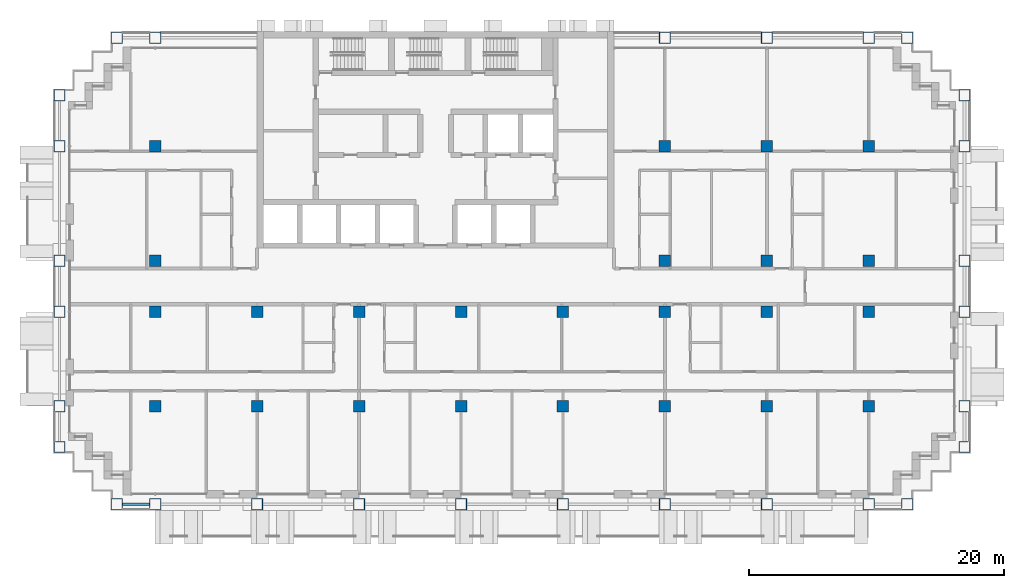
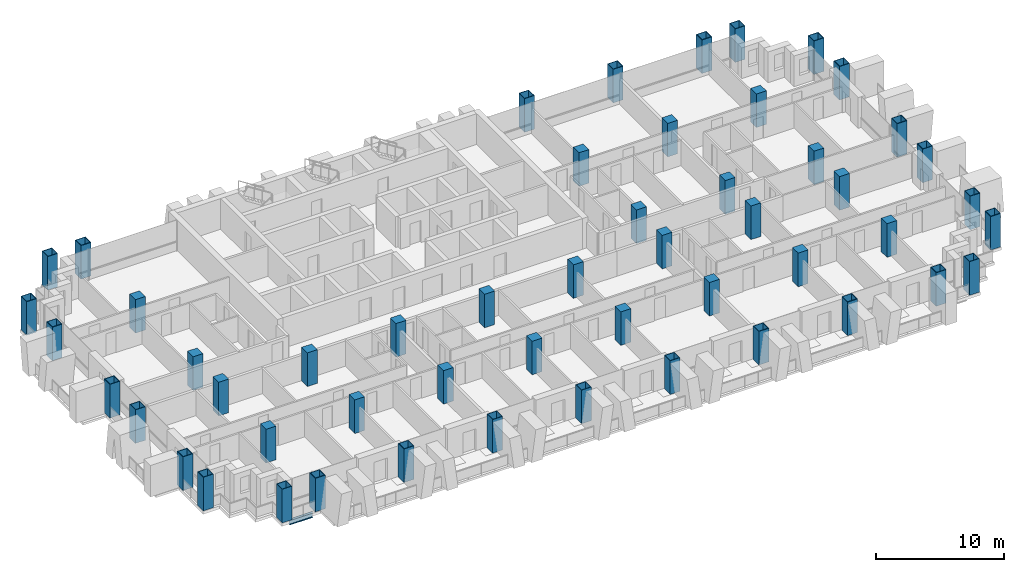
# One storey, part 1 of 19: 52 columns, 1 beam.
"""IFC4 building model written with IfcOpenShell, lengths in metres."""

from ifc_helpers import new_model, si_unit, direction, frame, origin, origin_2d, place, context, subcontext, project, spatial, rectangle, hollow_rectangle, i_section, extrude, material, material_profile, profile_set, type_object, element, save


model = new_model("IFC4")

# Units and contexts
model_context = context("Model", 3, precision=1e-05, world=origin(), true_north=direction((0.0, 1.0)))
body_context = subcontext(model_context, "Body", "Model", "MODEL_VIEW")
ifc_project = project(units=[si_unit("LENGTHUNIT", "METRE"), si_unit("AREAUNIT", "SQUARE_METRE"), si_unit("VOLUMEUNIT", "CUBIC_METRE"), si_unit("PLANEANGLEUNIT", "RADIAN"), si_unit("MASSUNIT", "GRAM", prefix="KILO")], contexts=[model_context])

# Site, building, storey
site_placement = place(None, origin())
site = spatial("IfcSite", under=ifc_project, at=site_placement, CompositionType="ELEMENT")
building_placement = place(site_placement, origin())
building = spatial("IfcBuilding", under=site, at=building_placement, Name="Vidyagriha Tower", CompositionType="ELEMENT")
storey_placement = place(building_placement, frame((0.0, 0.0, 99.89990234375)))
storey = spatial("IfcBuildingStorey", under=building, at=storey_placement, Name="L26", CompositionType="ELEMENT", Elevation=99.89990234375)

# Columns
ifc_material_1 = material(Name="Steel ASTM A572 Grade 50", Category="steel")
ifc_material_profile_1 = material_profile(ifc_material_1, hollow_rectangle(XDim=0.89990234375, YDim=0.89990234375, WallThickness=0.044921875, at=origin_2d()), Name="BOX 900x900x45")
ifc_profile_set_1 = profile_set([ifc_material_profile_1], Name="Steel ASTM A572 Grade 50")
column_type_1 = type_object("IfcColumnType", Name="Exoskeleton column BOX 900x900x45", PredefinedType="COLUMN", material=ifc_profile_set_1)
for number, where, name in (
    (1, (-25.0, -17.10009765625, 0.0), "st-col-L26-B2-001"),
    (2, (-22.0, -17.10009765625, 0.0), "st-col-L26-B2-002"),
    (3, (-14.0, -17.10009765625, 0.0), "st-col-L26-B2-003"),
    (4, (-6.0, -17.10009765625, 0.0), "st-col-L26-B2-004"),
    (5, (2.0, -17.10009765625, 0.0), "st-col-L26-B2-005"),
    (6, (10.0, -17.10009765625, 0.0), "st-col-L26-B2-006"),
    (7, (18.0, -17.10009765625, 0.0), "st-col-L26-B2-007"),
    (8, (26.0, -17.10009765625, 0.0), "st-col-L26-B2-008"),
    (9, (34.0, -17.10009765625, 0.0), "st-col-L26-B2-009"),
    (10, (37.0, -17.10009765625, 0.0), "st-col-L26-B2-010"),
    (11, (-29.5, -12.60009765625, 0.0), "st-col-L26-B2-011"),
    (12, (41.5, -12.60009765625, 0.0), "st-col-L26-B2-012"),
    (13, (-29.5, -9.39990234375, 0.0), "st-col-L26-B2-013"),
    (14, (41.5, -9.39990234375, 0.0), "st-col-L26-B2-022"),
    (15, (-29.5, -2.0, 0.0), "st-col-L26-B2-023"),
    (16, (41.5, -2.0, 0.0), "st-col-L26-B2-032"),
    (17, (-29.5, 2.0, 0.0), "st-col-L26-B2-033"),
    (18, (41.5, 2.0, 0.0), "st-col-L26-B2-038"),
    (19, (-29.5, 11.0, 0.0), "st-col-L26-B2-039"),
    (20, (41.5, 11.0, 0.0), "st-col-L26-B2-044"),
    (21, (-29.5, 15.0, 0.0), "st-col-L26-B2-045"),
    (22, (41.5, 15.0, 0.0), "st-col-L26-B2-046"),
    (23, (-25.0, 19.5, 0.0), "st-col-L26-B2-047"),
    (24, (-22.0, 19.5, 0.0), "st-col-L26-B2-048"),
    (25, (18.0, 19.5, 0.0), "st-col-L26-B2-049"),
    (26, (26.0, 19.5, 0.0), "st-col-L26-B2-050"),
    (27, (34.0, 19.5, 0.0), "st-col-L26-B2-051"),
    (28, (37.0, 19.5, 0.0), "st-col-L26-B2-052"),
):
    element("IfcColumn", number, at=place(storey_placement, frame(where)), inside=storey, type_object=column_type_1, Name=name, PredefinedType="COLUMN", context=body_context, shape_type="SweptSolid", body=[
        extrude(hollow_rectangle(XDim=0.89990234375, YDim=0.89990234375, WallThickness=0.044921875, at=origin_2d()), origin(), (0.0, 0.0, 1.0), 3.2001953125),
    ])
ifc_material_2 = material(Name="Concrete C80/95", Category="concrete")
ifc_material_profile_2 = material_profile(ifc_material_2, rectangle(XDim=0.89990234375, YDim=0.89990234375, at=origin_2d()), Name="RC 900x900")
ifc_profile_set_2 = profile_set([ifc_material_profile_2], Name="Concrete C80/95")
column_type_2 = type_object("IfcColumnType", Name="Frame column RC 900x900", PredefinedType="COLUMN", material=ifc_profile_set_2)
for number, where, name in (
    (29, (-22.0, -9.39990234375, 0.0), "st-col-L26-B2-014"),
    (30, (-14.0, -9.39990234375, 0.0), "st-col-L26-B2-015"),
    (31, (-6.0, -9.39990234375, 0.0), "st-col-L26-B2-016"),
    (32, (2.0, -9.39990234375, 0.0), "st-col-L26-B2-017"),
    (33, (10.0, -9.39990234375, 0.0), "st-col-L26-B2-018"),
    (34, (18.0, -9.39990234375, 0.0), "st-col-L26-B2-019"),
    (35, (26.0, -9.39990234375, 0.0), "st-col-L26-B2-020"),
    (36, (34.0, -9.39990234375, 0.0), "st-col-L26-B2-021"),
    (37, (-22.0, -2.0, 0.0), "st-col-L26-B2-024"),
    (38, (-14.0, -2.0, 0.0), "st-col-L26-B2-025"),
    (39, (-6.0, -2.0, 0.0), "st-col-L26-B2-026"),
    (40, (2.0, -2.0, 0.0), "st-col-L26-B2-027"),
    (41, (10.0, -2.0, 0.0), "st-col-L26-B2-028"),
    (42, (18.0, -2.0, 0.0), "st-col-L26-B2-029"),
    (43, (26.0, -2.0, 0.0), "st-col-L26-B2-030"),
    (44, (34.0, -2.0, 0.0), "st-col-L26-B2-031"),
    (45, (-22.0, 2.0, 0.0), "st-col-L26-B2-034"),
    (46, (18.0, 2.0, 0.0), "st-col-L26-B2-035"),
    (47, (26.0, 2.0, 0.0), "st-col-L26-B2-036"),
    (48, (34.0, 2.0, 0.0), "st-col-L26-B2-037"),
    (49, (-22.0, 11.0, 0.0), "st-col-L26-B2-040"),
    (50, (18.0, 11.0, 0.0), "st-col-L26-B2-041"),
    (51, (26.0, 11.0, 0.0), "st-col-L26-B2-042"),
    (52, (34.0, 11.0, 0.0), "st-col-L26-B2-043"),
):
    element("IfcColumn", number, at=place(storey_placement, frame(where)), inside=storey, type_object=column_type_2, Name=name, PredefinedType="COLUMN", context=body_context, shape_type="SweptSolid", body=[
        extrude(rectangle(XDim=0.89990234375, YDim=0.89990234375, at=origin_2d()), origin(), (0.0, 0.0, 1.0), 3.2001953125),
    ])

# Beam
ifc_material_3 = material(Name="Steel ASTM A992 Grade 50", Category="steel")
ifc_material_profile_3 = material_profile(ifc_material_3, i_section(OverallWidth=0.19189453125, OverallDepth=0.46240234375, WebThickness=0.010498046875, FlangeThickness=0.017578125, at=origin_2d()), Name="W18X60")
ifc_profile_set_3 = profile_set([ifc_material_profile_3], Name="Steel ASTM A992 Grade 50")
beam_type = type_object("IfcBeamType", Name="Edge beam W18X60", PredefinedType="SPANDREL", material=ifc_profile_set_3)
beam_placement = place(storey_placement, frame((-24.550048828125, -17.10009765625, -0.510986328125), z_axis=(1.0, 0.0, 0.0), x_axis=(0.0, 1.0, 0.0)))
element("IfcBeam", 53, at=beam_placement, inside=storey, type_object=beam_type, Name="st-beam-L26-S01", PredefinedType="SPANDREL", context=body_context, shape_type="SweptSolid", body=[
    extrude(i_section(OverallWidth=0.19189453125, OverallDepth=0.46240234375, WebThickness=0.010498046875, FlangeThickness=0.017578125, at=origin_2d()), origin(), (0.0, 0.0, 1.0), 2.10009765625),
])

save(model, "model.ifc")
